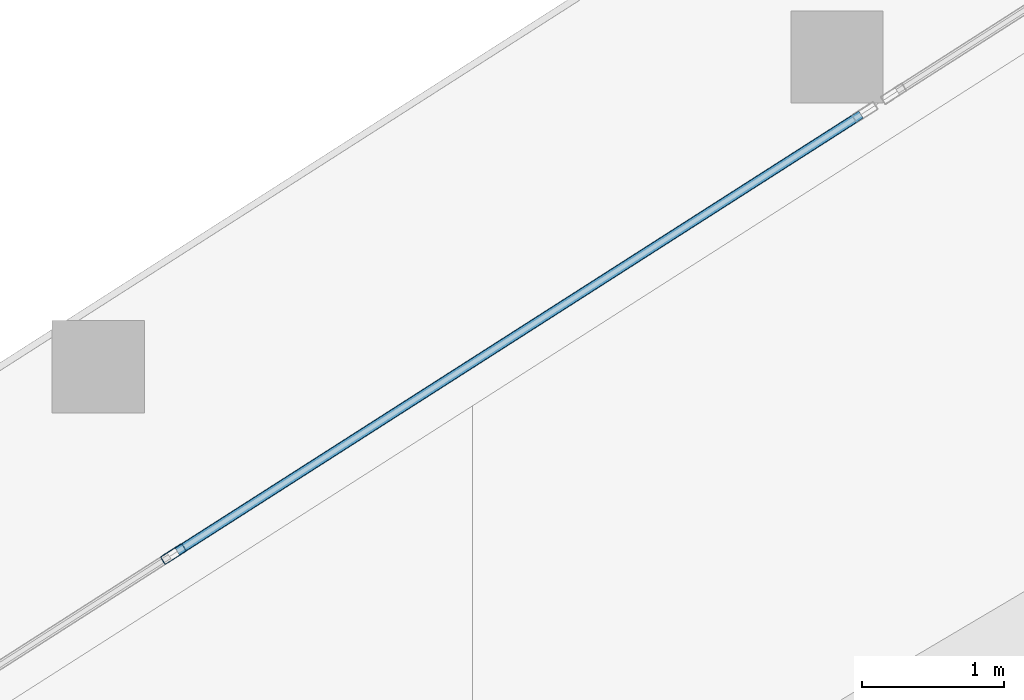
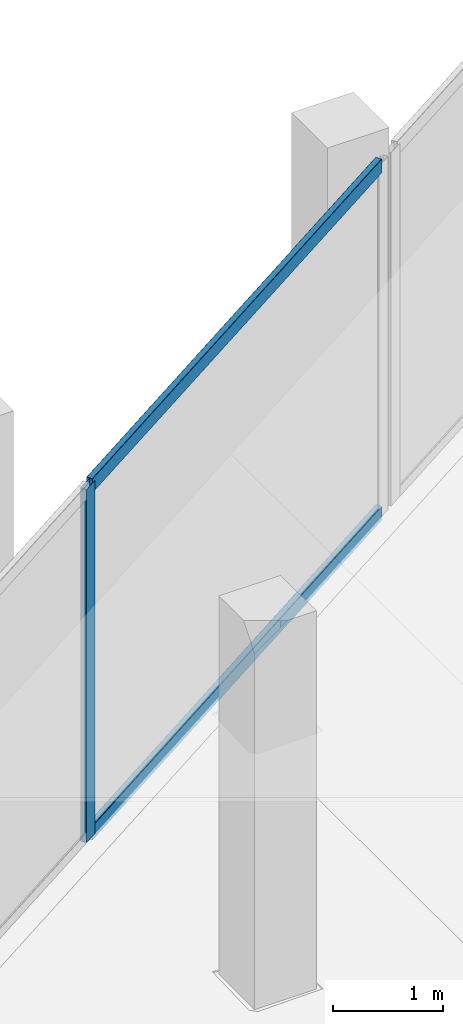
# One storey, part 15 of 44: 3 members, 1 element without a shape of its own.
"""IFC4 building model written with IfcOpenShell, lengths in metres."""

import ifcopenshell
import ifcopenshell.guid

model = None  # the IFC model being written
_history = None  # IfcOwnerHistory: only IFC2X3 demands one
_inside = {}  # id of a spatial element -> (the spatial element, [elements in it])
_under = {}  # id of a project, library or spatial element -> (it, [spatial elements below it])
_declared = {}  # id of a project -> (the project, [libraries it declares])
_typed = {}  # id of a type object -> (the type object, [elements of that type])
_made_of = {}  # id of a material, layer set ... -> (it, [elements and type objects made of it])


def new_model(schema):
    """Start an empty IFC model of exactly this schema.

    Asked for "IFC4X3", IfcOpenShell would pick the latest addendum, in which some entities
    have other attributes; the version numbers below select the first issue.
    IFC2X3 requires an IfcOwnerHistory on every rooted entity: one is made here for all.
    """
    global model, _history
    if schema == "IFC4X3":
        model = ifcopenshell.file(schema_version=(4, 3, 0, 0))
    else:
        model = ifcopenshell.file(schema=schema)
    _inside.clear()
    _under.clear()
    _declared.clear()
    _typed.clear()
    _made_of.clear()
    _history = None
    if model.schema == "IFC2X3":
        org = make("IfcOrganization", Name="unknown")
        user = make(
            "IfcPersonAndOrganization",
            ThePerson=make("IfcPerson", FamilyName="unknown"),
            TheOrganization=org,
        )
        app = make(
            "IfcApplication",
            ApplicationDeveloper=org,
            Version="unknown",
            ApplicationFullName="unknown",
            ApplicationIdentifier="unknown",
        )
        _history = make(
            "IfcOwnerHistory",
            OwningUser=user,
            OwningApplication=app,
            ChangeAction="ADDED",
            CreationDate=0,
        )
    return model


def make(cls, **values):
    """One entity of the class cls with the attributes given. An attribute that is None is left unset."""
    return model.create_entity(
        cls, **{name: value for name, value in values.items() if value is not None}
    )


def rooted(cls, **values):
    """An entity with a GlobalId (a new one), such as an element, a storey or a relation."""
    return make(cls, GlobalId=ifcopenshell.guid.new(), OwnerHistory=_history, **values)


def si_unit(unit_type, name, prefix=None):
    """IfcSIUnit, for example si_unit("LENGTHUNIT", "METRE", prefix="MILLI")."""
    return make("IfcSIUnit", UnitType=unit_type, Prefix=prefix, Name=name)


def assignment(units):
    """IfcUnitAssignment: the units of a project."""
    return None if units is None else make("IfcUnitAssignment", Units=units)


def point(xyz):
    """IfcCartesianPoint."""
    return None if xyz is None else make("IfcCartesianPoint", Coordinates=xyz)


def direction(xyz):
    """IfcDirection."""
    return None if xyz is None else make("IfcDirection", DirectionRatios=xyz)


def frame(location, z_axis=None, x_axis=None):
    """IfcAxis2Placement3D, a coordinate frame: its origin and axes. An axis left out is left unset."""
    return make(
        "IfcAxis2Placement3D",
        Location=point(location),
        Axis=direction(z_axis),
        RefDirection=direction(x_axis),
    )


def frame_2d(location, x_axis=None):
    """IfcAxis2Placement2D, a coordinate frame in the plane: its origin and x axis."""
    return make(
        "IfcAxis2Placement2D", Location=point(location), RefDirection=direction(x_axis)
    )


def origin():
    """The frame at (0, 0, 0) with its axes left unset."""
    return frame((0.0, 0.0, 0.0))


def origin_2d():
    """The frame at (0, 0) in the plane with its x axis left unset."""
    return frame_2d((0.0, 0.0))


def place(relative_to, where):
    """IfcLocalPlacement: puts the frame where relative to a parent placement (None: the world)."""
    return make(
        "IfcLocalPlacement", PlacementRelTo=relative_to, RelativePlacement=where
    )


def context(
    kind, dimensions, precision=None, world=None, true_north=None, identifier=None
):
    """IfcGeometricRepresentationContext, for example the 3D "Model" context."""
    return make(
        "IfcGeometricRepresentationContext",
        ContextIdentifier=identifier,
        ContextType=kind,
        CoordinateSpaceDimension=dimensions,
        Precision=precision,
        WorldCoordinateSystem=world,
        TrueNorth=true_north,
    )


def subcontext(parent, identifier, kind, view, scale=None):
    """IfcGeometricRepresentationSubContext, for example "Body" below "Model"."""
    return make(
        "IfcGeometricRepresentationSubContext",
        ContextIdentifier=identifier,
        ContextType=kind,
        ParentContext=parent,
        TargetScale=scale,
        TargetView=view,
    )


def project(units=None, contexts=None):
    """IfcProject with its units and contexts."""
    return rooted(
        "IfcProject",
        Name="project",
        RepresentationContexts=contexts,
        UnitsInContext=assignment(units),
    )


def spatial(cls, under=None, at=None, **own):
    """A site, building, storey or space (cls), placed at a placement, below another one or the project."""
    s = rooted(cls, ObjectPlacement=at, **own)
    if under is not None:
        _under.setdefault(under.id(), (under, []))[1].append(s)
    return s


def profile(cls, at=None, kind="AREA", **sizes):
    """A parametric profile (cls). Its sizes go by their IFC names, for example OverallWidth=200.0."""
    return make(cls, ProfileType=kind, Position=at, **sizes)


def hollow_rectangle(**sizes):
    """IfcRectangleHollowProfileDef."""
    return profile("IfcRectangleHollowProfileDef", **sizes)


def extrude(swept, where, along, depth):
    """IfcExtrudedAreaSolid: the profile swept, set in the frame where, extruded along a direction by depth."""
    return make(
        "IfcExtrudedAreaSolid",
        SweptArea=swept,
        Position=where,
        ExtrudedDirection=direction(along),
        Depth=depth,
    )


def shape(context_of_items, identifier, shape_type, items):
    """IfcShapeRepresentation: the items that make up one representation, for example the "Body"."""
    return make(
        "IfcShapeRepresentation",
        ContextOfItems=context_of_items,
        RepresentationIdentifier=identifier,
        RepresentationType=shape_type,
        Items=items,
    )


def material(Name=None, Category=None):
    """IfcMaterial."""
    return make("IfcMaterial", Name=Name, Category=Category)


def layer(
    of_material, thickness, ventilated=None, Name=None, Category=None, Priority=None
):
    """IfcMaterialLayer: one layer of a wall or slab, of a material (None: an air gap)."""
    return make(
        "IfcMaterialLayer",
        Material=of_material,
        LayerThickness=thickness,
        IsVentilated=ventilated,
        Name=Name,
        Category=Category,
        Priority=Priority,
    )


def layer_set(layers, Name=None):
    """IfcMaterialLayerSet."""
    return make("IfcMaterialLayerSet", MaterialLayers=layers, LayerSetName=Name)


def material_profile(
    of_material, cross_section, Name=None, Category=None, Priority=None
):
    """IfcMaterialProfile: a cross section and its material."""
    return make(
        "IfcMaterialProfile",
        Name=Name,
        Material=of_material,
        Profile=cross_section,
        Priority=Priority,
        Category=Category,
    )


def profile_set(profiles, Name=None, composite=None):
    """IfcMaterialProfileSet."""
    return make(
        "IfcMaterialProfileSet",
        Name=Name,
        MaterialProfiles=profiles,
        CompositeProfile=composite,
    )


def made_of(thing, what):
    """Note that an element or type object is made of a material, layer set ...; save() writes the relation."""
    if what is not None:
        _made_of.setdefault(what.id(), (what, []))[1].append(thing)
    return thing


def type_object(cls, material=None, **own):
    """A type object (cls), such as IfcWallType, which elements share."""
    return made_of(rooted(cls, **own), material)


def element(
    cls,
    number,
    at=None,
    inside=None,
    cuts=None,
    type_object=None,
    material=None,
    context=None,
    identifier="Body",
    shape_type=None,
    held_by="IfcProductDefinitionShape",
    body=None,
    shapes=None,
    **own,
):
    """One element of the class cls, such as IfcWall. Its Tag is "e" and its number.

    at: its placement. inside: the storey or other place that contains it. cuts: it is an
    opening in that element (IfcRelVoidsElement). A single representation is given by context,
    identifier, shape_type and body (its items); several are given by shapes. held_by: the class
    of the entity that holds the representations. save() writes the other relations.
    """
    e = rooted(cls, Tag="e%d" % number, ObjectPlacement=at, **own)
    if body is not None:
        shapes = [shape(context, identifier, shape_type, body)]
    if shapes is not None:
        e.Representation = make(held_by, Representations=shapes)
    if inside is not None:
        _inside.setdefault(inside.id(), (inside, []))[1].append(e)
    if cuts is not None:
        rooted(
            "IfcRelVoidsElement", RelatingBuildingElement=cuts, RelatedOpeningElement=e
        )
    if type_object is not None:
        _typed.setdefault(type_object.id(), (type_object, []))[1].append(e)
    return made_of(e, material)


def aggregate(whole, parts):
    """IfcRelAggregates: a whole, such as a stair, and the parts it consists of."""
    return rooted("IfcRelAggregates", RelatingObject=whole, RelatedObjects=parts)


def save(model, path):
    """Write the relations noted so far, then the file.

    IfcRelAggregates (storeys below a building ...), IfcRelContainedInSpatialStructure (elements
    in a storey), IfcRelDefinesByType, IfcRelAssociatesMaterial and IfcRelDeclares: one each for
    every whole, place, type object, material and project.
    """
    for whole, parts in _under.values():
        aggregate(whole, parts)
    for where, things in _inside.values():
        rooted(
            "IfcRelContainedInSpatialStructure",
            RelatedElements=things,
            RelatingStructure=where,
        )
    for kind, things in _typed.values():
        rooted("IfcRelDefinesByType", RelatedObjects=things, RelatingType=kind)
    for what, things in _made_of.values():
        rooted("IfcRelAssociatesMaterial", RelatedObjects=things, RelatingMaterial=what)
    for by, libraries in _declared.values():
        rooted("IfcRelDeclares", RelatingContext=by, RelatedDefinitions=libraries)
    model.write(path)


model = new_model("IFC4")

# Units and contexts
model_context = context("Model", 3, precision=1e-05, world=origin(), true_north=direction((0.0, 1.0)))
body_context = subcontext(model_context, "Body", "Model", "MODEL_VIEW")
ifc_project = project(units=[si_unit("LENGTHUNIT", "METRE"), si_unit("AREAUNIT", "SQUARE_METRE"), si_unit("VOLUMEUNIT", "CUBIC_METRE"), si_unit("PLANEANGLEUNIT", "RADIAN"), si_unit("MASSUNIT", "GRAM", prefix="KILO")], contexts=[model_context])

# Site, building, storey
site_placement = place(None, origin())
site = spatial("IfcSite", under=ifc_project, at=site_placement, CompositionType="ELEMENT")
building_placement = place(site_placement, origin())
building = spatial("IfcBuilding", under=site, at=building_placement, Name="Qorvath Tower", CompositionType="ELEMENT")
storey_placement = place(building_placement, frame((0.0, 0.0, 70.199951171875)))
storey = spatial("IfcBuildingStorey", under=building, at=storey_placement, Name="L15", CompositionType="ELEMENT", Elevation=70.199951171875)

# Curtain wall, members
ifc_material_1 = material(Name="Anodised aluminium and triple low-E glass", Category="aluminium")
ifc_layer = layer(ifc_material_1, 0.179931640625)
ifc_layer_set = layer_set([ifc_layer], Name="CW-SYS-2")
curtain_wall_type = type_object("IfcCurtainWallType", Name="CW-SYS-2", PredefinedType="NOTDEFINED", material=ifc_layer_set)
curtain_wall_placement = place(storey_placement, origin())
curtain_wall = element("IfcCurtainWall", 1, at=curtain_wall_placement, inside=storey, type_object=curtain_wall_type, Name="Curtain Wall CW-2 CW-T-L15-16.3", PredefinedType="NOTDEFINED")
ifc_material_2 = material(Name="Anodised aluminium 6063-T6", Category="aluminium")
ifc_material_profile_1 = material_profile(ifc_material_2, hollow_rectangle(XDim=0.06494140625, YDim=0.179931640625, WallThickness=0.00341796875, InnerFilletRadius=0.00341796875, OuterFilletRadius=0.007080078125, at=origin_2d()), Name="CWM 180x65")
ifc_profile_set_1 = profile_set([ifc_material_profile_1], Name="Anodised aluminium 6063-T6")
member_type_1 = type_object("IfcMemberType", Name="CWM-180", PredefinedType="MULLION", material=ifc_profile_set_1)
member_1_placement = place(storey_placement, frame((-45.00634765625, 13.4560546875, 0.0), z_axis=(0.0, 0.0, 1.0), x_axis=(0.538530641183, -0.842605927173, 0.0)))
member_1 = element("IfcMember", 2, at=member_1_placement, type_object=member_type_1, Name="CW-2 mullion 2", PredefinedType="MULLION", context=body_context, shape_type="SweptSolid", body=[
    extrude(hollow_rectangle(XDim=0.06494140625, YDim=0.179931640625, WallThickness=0.00341796875, InnerFilletRadius=0.00341796875, OuterFilletRadius=0.007080078125, at=origin_2d()), origin(), (0.0, 0.0, 1.0), 3.920166015625),
])
ifc_material_3 = material(Name="Anodised aluminium 6063-T6", Category="aluminium")
ifc_material_profile_2 = material_profile(ifc_material_3, hollow_rectangle(XDim=0.06494140625, YDim=0.159912109375, WallThickness=0.00341796875, InnerFilletRadius=0.00341796875, OuterFilletRadius=0.007080078125, at=origin_2d()), Name="CWT 160x65")
ifc_profile_set_2 = profile_set([ifc_material_profile_2], Name="Anodised aluminium 6063-T6")
member_type_2 = type_object("IfcMemberType", Name="CWT-160", PredefinedType="USERDEFINED", material=ifc_profile_set_2)
member_2_placement = place(storey_placement, frame((-40.164306640625, 16.55078125, 0.032470703125), z_axis=(-0.842590167086, -0.53855529923, 0.0), x_axis=(0.53855529923, -0.842590167086, 0.0)))
member_2 = element("IfcMember", 3, at=member_2_placement, type_object=member_type_2, Name="CW-2 transom 1.1", ObjectType="TRANSOM", PredefinedType="USERDEFINED", context=body_context, shape_type="SweptSolid", body=[
    extrude(hollow_rectangle(XDim=0.06494140625, YDim=0.159912109375, WallThickness=0.00341796875, InnerFilletRadius=0.00341796875, OuterFilletRadius=0.007080078125, at=origin_2d()), origin(), (0.0, 0.0, 1.0), 5.714111328125),
])
member_3_placement = place(storey_placement, frame((-40.164306640625, 16.55078125, 3.8876953125), z_axis=(-0.842590167086, -0.53855529923, 0.0), x_axis=(0.53855529923, -0.842590167086, 0.0)))
member_3 = element("IfcMember", 4, at=member_3_placement, type_object=member_type_2, Name="CW-2 transom 1.2", ObjectType="TRANSOM", PredefinedType="USERDEFINED", context=body_context, shape_type="SweptSolid", body=[
    extrude(hollow_rectangle(XDim=0.06494140625, YDim=0.159912109375, WallThickness=0.00341796875, InnerFilletRadius=0.00341796875, OuterFilletRadius=0.007080078125, at=origin_2d()), origin(), (0.0, 0.0, 1.0), 5.714111328125),
])
aggregate(curtain_wall, [member_1, member_2, member_3])

save(model, "model.ifc")
